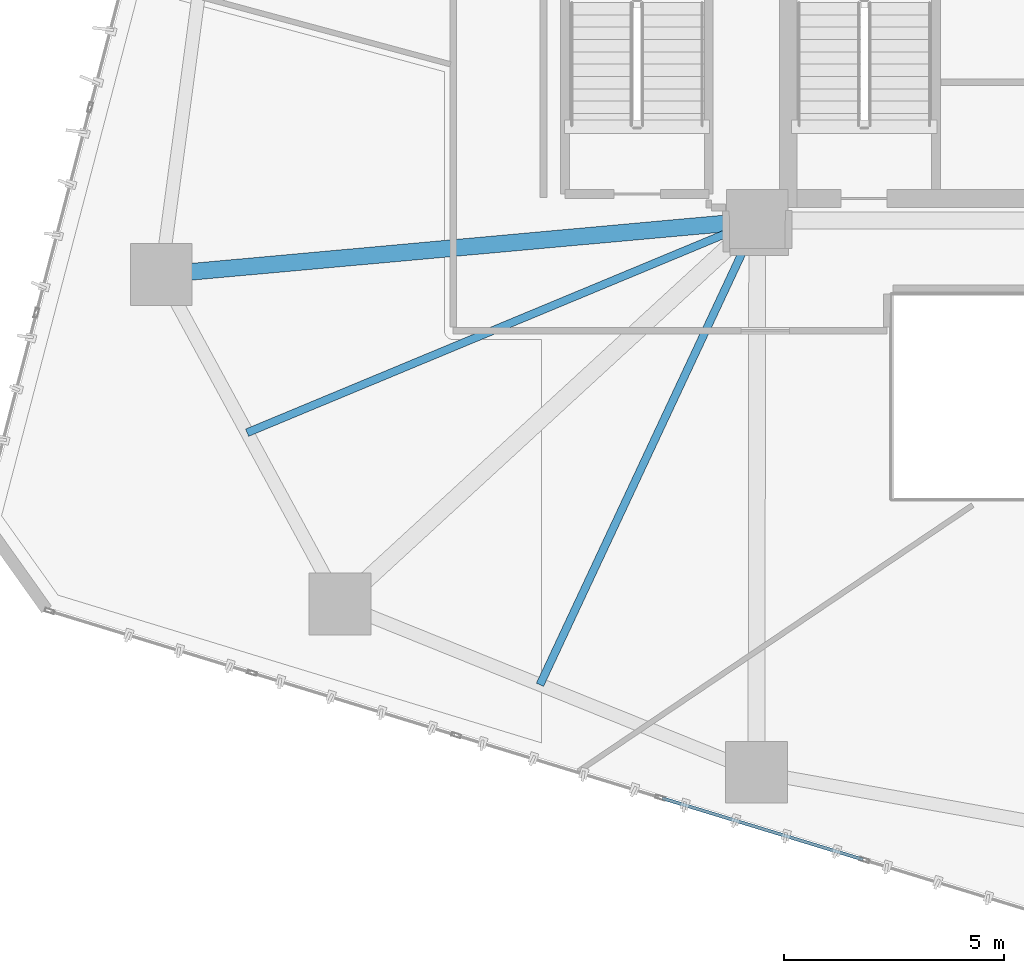
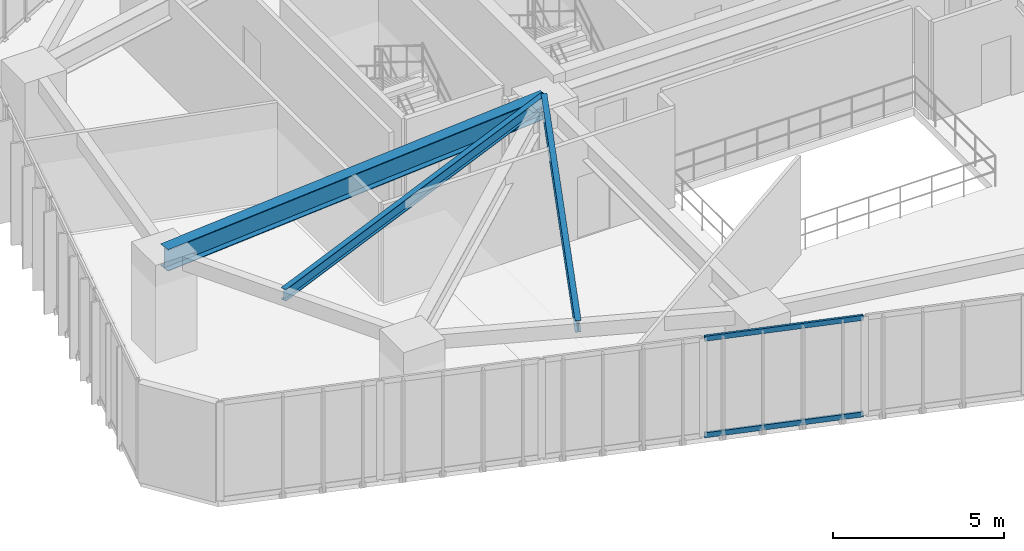
# One storey, part 4 of 24: 3 beams, 2 members, 1 element without a shape of its own.
"""IFC4 building model written with IfcOpenShell, lengths in metres."""

from ifc_helpers import new_model, si_unit, direction, frame, origin, origin_2d, place, context, subcontext, project, spatial, hollow_rectangle, i_section, extrude, source, transform, mapped, material, layer, layer_set, material_profile, profile_set, type_object, type_shapes, element, aggregate, save


model = new_model("IFC4")

# Units and contexts
model_context = context("Model", 3, precision=1e-05, world=origin(), true_north=direction((0.0, 1.0)))
body_context = subcontext(model_context, "Body", "Model", "MODEL_VIEW")
ifc_project = project(units=[si_unit("LENGTHUNIT", "METRE"), si_unit("AREAUNIT", "SQUARE_METRE"), si_unit("VOLUMEUNIT", "CUBIC_METRE"), si_unit("PLANEANGLEUNIT", "RADIAN"), si_unit("MASSUNIT", "GRAM", prefix="KILO")], contexts=[model_context])

# Site, building, storey
site_placement = place(None, origin())
site = spatial("IfcSite", under=ifc_project, at=site_placement, CompositionType="ELEMENT")
building_placement = place(site_placement, origin())
building = spatial("IfcBuilding", under=site, at=building_placement, Name="Talar Marvaseh", CompositionType="ELEMENT")
storey_placement = place(building_placement, frame((0.0, 0.0, 39.199951171875)))
storey = spatial("IfcBuildingStorey", under=building, at=storey_placement, Name="L09", CompositionType="ELEMENT", Elevation=39.199951171875)

# Beams
ifc_material_1 = material(Name="Steel S355", Category="steel")
ifc_material_profile_1 = material_profile(ifc_material_1, i_section(OverallWidth=0.381103515625, OverallDepth=0.77294921875, WebThickness=0.0166015625, FlangeThickness=0.027099609375, at=origin_2d()), Name="W760x257")
ifc_profile_set_1 = profile_set([ifc_material_profile_1], Name="Steel S355")
beam_type_1 = type_object("IfcBeamType", Name="Zone 1 Radial Floor Girder W760x257", PredefinedType="BEAM", material=ifc_profile_set_1)
beam_1_placement = place(storey_placement, frame((5.175048828125, 24.27587890625, 3.133544921875), z_axis=(0.995929083348, 0.090140229321, 0.0), x_axis=(-0.090140229321, 0.995929083348, 0.0)))
element("IfcBeam", 1, at=beam_1_placement, inside=storey, type_object=beam_type_1, Name="L09 Zone 1 Radial Floor Girder W760x257", PredefinedType="BEAM", context=body_context, shape_type="SweptSolid", body=[
    extrude(i_section(OverallWidth=0.381103515625, OverallDepth=0.77294921875, WebThickness=0.0166015625, FlangeThickness=0.027099609375, at=origin_2d()), origin(), (0.0, 0.0, 1.0), 13.580078125),
])
ifc_material_profile_2 = material_profile(ifc_material_1, i_section(OverallWidth=0.179931640625, OverallDepth=0.4130859375, WebThickness=0.009765625, FlangeThickness=0.01611328125, at=origin_2d()), Name="W410x75")
ifc_profile_set_2 = profile_set([ifc_material_profile_2], Name="Steel S355")
beam_type_2 = type_object("IfcBeamType", Name="Zone 1 Secondary Floor Joist W410x75", PredefinedType="JOIST", material=ifc_profile_set_2)
beam_2_placement = place(storey_placement, frame((13.7685546875, 14.9638671875, 3.3134765625), z_axis=(0.423911170159, 0.905703770454, 0.0), x_axis=(-0.905703770454, 0.423911170159, 0.0)))
element("IfcBeam", 2, at=beam_2_placement, inside=storey, type_object=beam_type_2, Name="L09 Zone 1 Secondary Floor Joist W410x75", PredefinedType="JOIST", context=body_context, shape_type="SweptSolid", body=[
    extrude(i_section(OverallWidth=0.179931640625, OverallDepth=0.4130859375, WebThickness=0.009765625, FlangeThickness=0.01611328125, at=origin_2d()), origin(), (0.0, 0.0, 1.0), 11.633056640625),
])
beam_3_placement = place(storey_placement, frame((7.122314453125, 20.685546875, 3.3134765625), z_axis=(0.923347443105, 0.383965492346, 0.0), x_axis=(-0.383965492346, 0.923347443105, 0.0)))
element("IfcBeam", 3, at=beam_3_placement, inside=storey, type_object=beam_type_2, Name="L09 Zone 1 Secondary Floor Joist W410x75", PredefinedType="JOIST", context=body_context, shape_type="SweptSolid", body=[
    extrude(i_section(OverallWidth=0.179931640625, OverallDepth=0.4130859375, WebThickness=0.009765625, FlangeThickness=0.01611328125, at=origin_2d()), origin(), (0.0, 0.0, 1.0), 12.538818359375),
])

# Curtain wall, members
ifc_material_2 = material(Name="Architectural Aluminium", Category="aluminium")
ifc_layer = layer(ifc_material_2, 0.219970703125)
ifc_layer_set = layer_set([ifc_layer], Name="Architectural Aluminium")
curtain_wall_type = type_object("IfcCurtainWallType", Name="Unitised Low-E Museum Curtain Wall Z1", PredefinedType="NOTDEFINED", material=ifc_layer_set)
curtain_wall_placement = place(storey_placement, origin())
curtain_wall = element("IfcCurtainWall", 4, at=curtain_wall_placement, inside=storey, type_object=curtain_wall_type, Name="L09 Unitised Low-E Museum Curtain Wall Z1", PredefinedType="NOTDEFINED")
ifc_material_profile_3 = material_profile(ifc_material_2, hollow_rectangle(XDim=0.074951171875, YDim=0.179931640625, WallThickness=0.0048828125, at=origin_2d()), Name="RHS180x75x5")
ifc_profile_set_3 = profile_set([ifc_material_profile_3], Name="Architectural Aluminium")
member_type = type_object("IfcMemberType", Name="Unitised Curtain Wall Transom RHS180x75x5", PredefinedType="USERDEFINED", material=ifc_profile_set_3)
shared_shape = source(origin(), body_context, "Body", "SweptSolid", [
    extrude(hollow_rectangle(XDim=0.074951171875, YDim=0.179931640625, WallThickness=0.0048828125, at=origin_2d()), origin(), (0.0, 0.0, 1.0), 4.765380859375),
])
type_shapes(member_type, [shared_shape])
member_1_placement = place(storey_placement, frame((21.099365234375, 10.997802734375, 0.03759765625), z_axis=(-0.95634878705, 0.292227646721, 0.0), x_axis=(-0.292227646721, -0.95634878705, 0.0)))
member_1 = element("IfcMember", 5, at=member_1_placement, type_object=member_type, Name="CW-Z1 transom 2.1", ObjectType="TRANSOM", PredefinedType="USERDEFINED", context=body_context, shape_type="MappedRepresentation", body=[
    mapped(shared_shape, transform((0.0, 0.0, 0.0), x_axis=(1.0, 0.0, 0.0), y_axis=(0.0, 1.0, 0.0), z_axis=(0.0, 0.0, 1.0), scale=1.0)),
])
member_2_placement = place(storey_placement, frame((21.099365234375, 10.997802734375, 3.482666015625), z_axis=(-0.95634878705, 0.292227646721, 0.0), x_axis=(-0.292227646721, -0.95634878705, 0.0)))
member_2 = element("IfcMember", 6, at=member_2_placement, type_object=member_type, Name="CW-Z1 transom 2.2", ObjectType="TRANSOM", PredefinedType="USERDEFINED", context=body_context, shape_type="MappedRepresentation", body=[
    mapped(shared_shape, transform((0.0, 0.0, 0.0), x_axis=(1.0, 0.0, 0.0), y_axis=(0.0, 1.0, 0.0), z_axis=(0.0, 0.0, 1.0), scale=1.0)),
])
aggregate(curtain_wall, [member_1, member_2])

save(model, "model.ifc")
